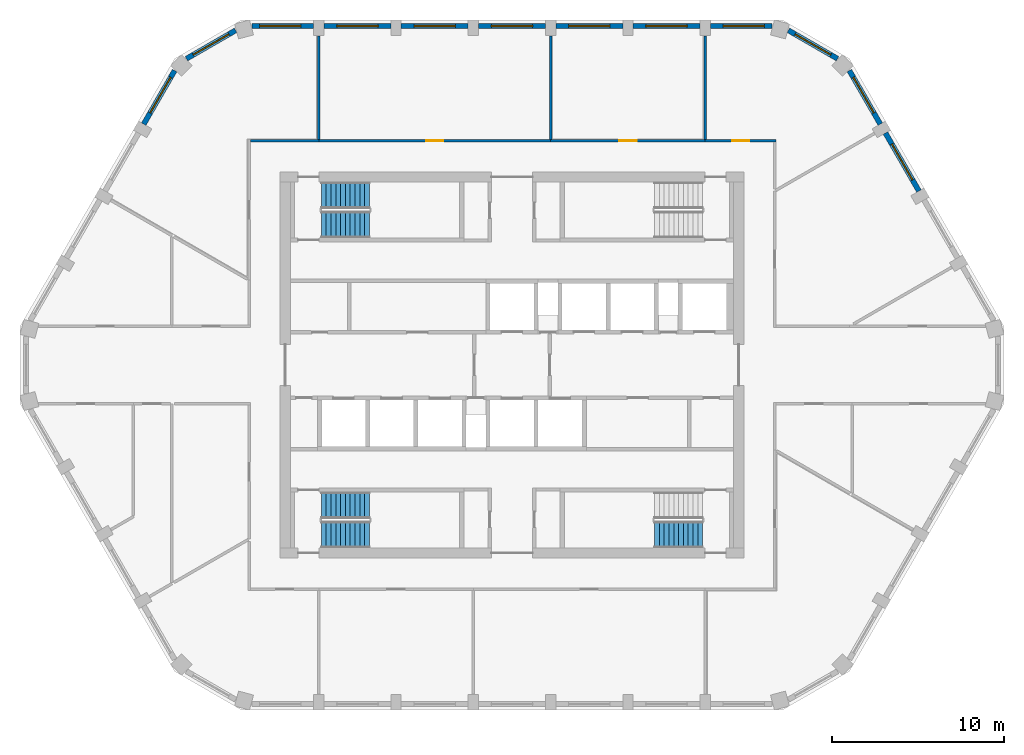
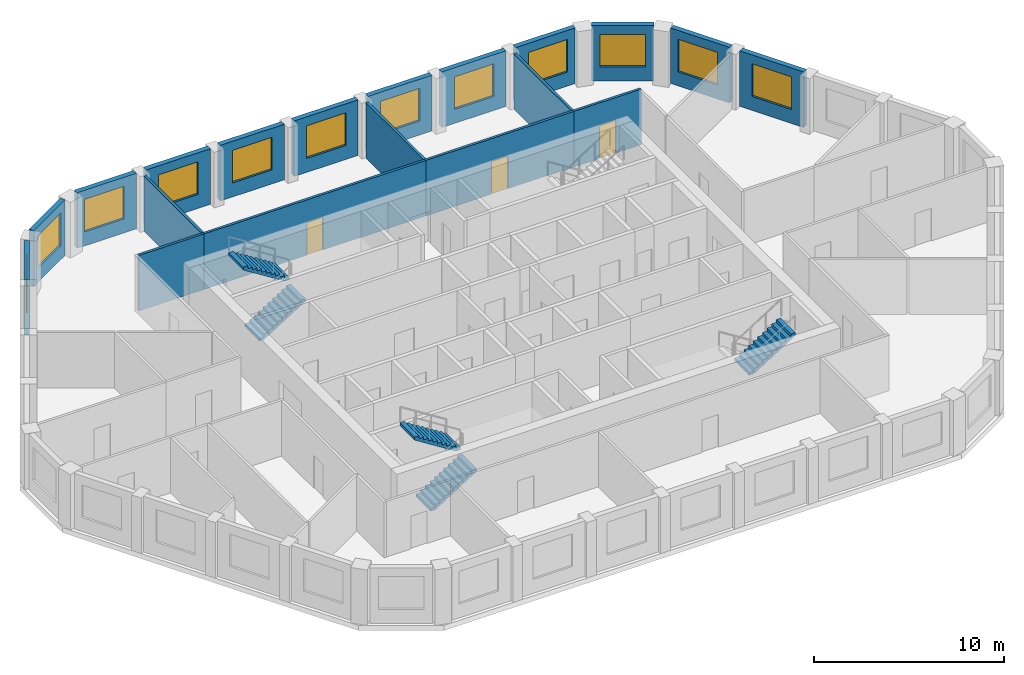
# One storey, part 6 of 10: 19 walls, 12 windows, 5 stair flights, 3 doors, 15 openings, 3 elements without a shape of their own.
"""IFC4 building model written with IfcOpenShell, lengths in metres."""

from ifc_helpers import new_model, si_unit, direction, frame, frame_2d, origin, place, context, subcontext, project, spatial, polyline, rectangle, outline, extrude, material, layer, layer_set, type_object, element, fill, aggregate, save


model = new_model("IFC4")

# Units and contexts
model_context = context("Model", 3, precision=1e-05, world=origin(), true_north=direction((0.0, 1.0)))
body_context = subcontext(model_context, "Body", "Model", "MODEL_VIEW")
ifc_project = project(units=[si_unit("LENGTHUNIT", "METRE"), si_unit("AREAUNIT", "SQUARE_METRE"), si_unit("VOLUMEUNIT", "CUBIC_METRE"), si_unit("PLANEANGLEUNIT", "RADIAN"), si_unit("MASSUNIT", "GRAM", prefix="KILO")], contexts=[model_context])

# Site, building, storey
site_placement = place(None, origin())
site = spatial("IfcSite", under=ifc_project, at=site_placement, CompositionType="ELEMENT")
building_placement = place(site_placement, origin())
building = spatial("IfcBuilding", under=site, at=building_placement, Name="Dhurran Vertical Campus", CompositionType="ELEMENT")
storey_placement = place(building_placement, frame((0.0, 0.0, 298.199951171875)))
storey = spatial("IfcBuildingStorey", under=building, at=storey_placement, Name="L74", CompositionType="ELEMENT", Elevation=298.199951171875)

# Wall, opening, window
ifc_material_1 = material(Name="Precast concrete C50/60", Category="concrete")
ifc_layer_1 = layer(ifc_material_1, 0.300048828125)
ifc_layer_set_1 = layer_set([ifc_layer_1], Name="Precast concrete C50/60")
wall_type_1 = type_object("IfcWallType", Name="Precast spandrel wall 300", PredefinedType="SOLIDWALL", material=ifc_layer_set_1)
wall_1_placement = place(storey_placement, frame((23.69384765625, 10.12939453125, 0.0), z_axis=(0.0, 0.0, 1.0), x_axis=(-0.499984428715, 0.866034393683, 0.0)))
wall_1 = element("IfcWall", 1, at=wall_1_placement, inside=storey, type_object=wall_type_1, Name="EW1 L74.15", PredefinedType="SOLIDWALL", context=body_context, shape_type="SweptSolid", body=[
    extrude(rectangle(XDim=3.89892578125, YDim=0.300048828125, at=frame_2d((1.949462890625, 0.0))), origin(), (0.0, 0.0, 1.0), 3.574951171875),
])
opening_1_placement = place(wall_1_placement, frame((0.74951171875, 0.0, 0.89990234375)))
opening_1 = element("IfcOpeningElement", 2, at=opening_1_placement, cuts=wall_1, Name="Opening WT1", PredefinedType="OPENING", context=body_context, shape_type="SweptSolid", body=[
    extrude(rectangle(XDim=2.39990234375, YDim=2.10009765625, at=frame_2d((1.199951171875, 1.050048828125))), frame((0.0, 0.159912109375, 0.0), z_axis=(0.0, -1.0, 0.0), x_axis=(1.0, 0.0, 0.0)), (0.0, 0.0, 1.0), 0.320068359375),
])
ifc_material_2 = material(Name="Aluminium frame with solar-control glass", Category="aluminium")
window_type = type_object("IfcWindowType", Name="Punched window 2400 x 2100", PartitioningType="SINGLE_PANEL", PredefinedType="WINDOW", material=ifc_material_2)
window_1_placement = place(opening_1_placement, origin())
window_1 = element("IfcWindow", 3, at=window_1_placement, inside=storey, type_object=window_type, Name="WT1 L74.15", OverallHeight=2.10009765625, OverallWidth=2.39990234375, PartitioningType="SINGLE_PANEL", PredefinedType="WINDOW", context=body_context, shape_type="SweptSolid", body=[
    extrude(rectangle(XDim=2.39990234375, YDim=2.10009765625, at=frame_2d((1.199951171875, 1.050048828125))), frame((0.0, 0.030029296875, 0.0), z_axis=(0.0, -1.0, 0.0), x_axis=(1.0, 0.0, 0.0)), (0.0, 0.0, 1.0), 0.06005859375),
])
fill(opening_1, window_1)

wall_2_placement = place(storey_placement, frame((21.44384765625, 14.026611328125, 0.0), z_axis=(0.0, 0.0, 1.0), x_axis=(-0.50001992892, 0.866013897511, 0.0)))
wall_2 = element("IfcWall", 4, at=wall_2_placement, inside=storey, type_object=wall_type_1, Name="EW1 L74.16", PredefinedType="SOLIDWALL", context=body_context, shape_type="SweptSolid", body=[
    extrude(rectangle(XDim=3.599365234375, YDim=0.300048828125, at=frame_2d((1.7998046875, 0.0))), origin(), (0.0, 0.0, 1.0), 3.574951171875),
])
opening_2_placement = place(wall_2_placement, frame((0.74951171875, 0.0, 0.89990234375)))
opening_2 = element("IfcOpeningElement", 5, at=opening_2_placement, cuts=wall_2, Name="Opening WT1", PredefinedType="OPENING", context=body_context, shape_type="SweptSolid", body=[
    extrude(rectangle(XDim=2.39990234375, YDim=2.10009765625, at=frame_2d((1.199951171875, 1.050048828125))), frame((0.0, 0.159912109375, 0.0), z_axis=(0.0, -1.0, 0.0), x_axis=(1.0, 0.0, 0.0)), (0.0, 0.0, 1.0), 0.320068359375),
])
window_2_placement = place(opening_2_placement, origin())
window_2 = element("IfcWindow", 6, at=window_2_placement, inside=storey, type_object=window_type, Name="WT1 L74.16", OverallHeight=2.10009765625, OverallWidth=2.39990234375, PartitioningType="SINGLE_PANEL", PredefinedType="WINDOW", context=body_context, shape_type="SweptSolid", body=[
    extrude(rectangle(XDim=2.39990234375, YDim=2.10009765625, at=frame_2d((1.199951171875, 1.050048828125))), frame((0.0, 0.030029296875, 0.0), z_axis=(0.0, -1.0, 0.0), x_axis=(1.0, 0.0, 0.0)), (0.0, 0.0, 1.0), 0.06005859375),
])
fill(opening_2, window_2)

wall_3_placement = place(storey_placement, frame((18.952392578125, 17.83544921875, 0.0), z_axis=(0.0, 0.0, 1.0), x_axis=(-0.866021716278, 0.500006386895, 0.0)))
wall_3 = element("IfcWall", 7, at=wall_3_placement, inside=storey, type_object=wall_type_1, Name="EW1 L74.17", PredefinedType="SOLIDWALL", context=body_context, shape_type="SweptSolid", body=[
    extrude(rectangle(XDim=3.2998046875, YDim=0.300048828125, at=frame_2d((1.64990234375, 0.0))), origin(), (0.0, 0.0, 1.0), 3.574951171875),
])
opening_3_placement = place(wall_3_placement, frame((0.449951171875, 0.0, 0.89990234375)))
opening_3 = element("IfcOpeningElement", 8, at=opening_3_placement, cuts=wall_3, Name="Opening WT1", PredefinedType="OPENING", context=body_context, shape_type="SweptSolid", body=[
    extrude(rectangle(XDim=2.39990234375, YDim=2.10009765625, at=frame_2d((1.199951171875, 1.050048828125))), frame((0.0, 0.159912109375, 0.0), z_axis=(0.0, -1.0, 0.0), x_axis=(1.0, 0.0, 0.0)), (0.0, 0.0, 1.0), 0.320068359375),
])
window_3_placement = place(opening_3_placement, origin())
window_3 = element("IfcWindow", 9, at=window_3_placement, inside=storey, type_object=window_type, Name="WT1 L74.17", OverallHeight=2.10009765625, OverallWidth=2.39990234375, PartitioningType="SINGLE_PANEL", PredefinedType="WINDOW", context=body_context, shape_type="SweptSolid", body=[
    extrude(rectangle(XDim=2.39990234375, YDim=2.10009765625, at=frame_2d((1.199951171875, 1.050048828125))), frame((0.0, 0.030029296875, 0.0), z_axis=(0.0, -1.0, 0.0), x_axis=(1.0, 0.0, 0.0)), (0.0, 0.0, 1.0), 0.06005859375),
])
fill(opening_3, window_3)

wall_4_placement = place(storey_placement, frame((15.14990234375, 19.738525390625, 0.0), z_axis=(0.0, 0.0, 1.0), x_axis=(-1.0, 0.0, 0.0)))
wall_4 = element("IfcWall", 10, at=wall_4_placement, inside=storey, type_object=wall_type_1, Name="EW1 L74.18", PredefinedType="SOLIDWALL", context=body_context, shape_type="SweptSolid", body=[
    extrude(rectangle(XDim=3.599365234375, YDim=0.300048828125, at=frame_2d((1.7998046875, 0.0))), origin(), (0.0, 0.0, 1.0), 3.574951171875),
])
opening_4_placement = place(wall_4_placement, frame((0.449951171875, 0.0, 0.89990234375)))
opening_4 = element("IfcOpeningElement", 11, at=opening_4_placement, cuts=wall_4, Name="Opening WT1", PredefinedType="OPENING", context=body_context, shape_type="SweptSolid", body=[
    extrude(rectangle(XDim=2.39990234375, YDim=2.10009765625, at=frame_2d((1.199951171875, 1.050048828125))), frame((0.0, 0.159912109375, 0.0), z_axis=(0.0, -1.0, 0.0), x_axis=(1.0, 0.0, 0.0)), (0.0, 0.0, 1.0), 0.320068359375),
])
window_4_placement = place(opening_4_placement, origin())
window_4 = element("IfcWindow", 12, at=window_4_placement, inside=storey, type_object=window_type, Name="WT1 L74.18", OverallHeight=2.10009765625, OverallWidth=2.39990234375, PartitioningType="SINGLE_PANEL", PredefinedType="WINDOW", context=body_context, shape_type="SweptSolid", body=[
    extrude(rectangle(XDim=2.39990234375, YDim=2.10009765625, at=frame_2d((1.199951171875, 1.050048828125))), frame((0.0, 0.030029296875, 0.0), z_axis=(0.0, -1.0, 0.0), x_axis=(1.0, 0.0, 0.0)), (0.0, 0.0, 1.0), 0.06005859375),
])
fill(opening_4, window_4)

wall_5_placement = place(storey_placement, frame((10.949462890625, 19.738525390625, 0.0), z_axis=(0.0, 0.0, 1.0), x_axis=(-1.0, 0.0, 0.0)))
wall_5 = element("IfcWall", 13, at=wall_5_placement, inside=storey, type_object=wall_type_1, Name="EW1 L74.19", PredefinedType="SOLIDWALL", context=body_context, shape_type="SweptSolid", body=[
    extrude(rectangle(XDim=3.89892578125, YDim=0.300048828125, at=frame_2d((1.949462890625, 0.0))), origin(), (0.0, 0.0, 1.0), 3.574951171875),
])
opening_5_placement = place(wall_5_placement, frame((0.74951171875, 0.0, 0.89990234375)))
opening_5 = element("IfcOpeningElement", 14, at=opening_5_placement, cuts=wall_5, Name="Opening WT1", PredefinedType="OPENING", context=body_context, shape_type="SweptSolid", body=[
    extrude(rectangle(XDim=2.39990234375, YDim=2.10009765625, at=frame_2d((1.199951171875, 1.050048828125))), frame((0.0, 0.159912109375, 0.0), z_axis=(0.0, -1.0, 0.0), x_axis=(1.0, 0.0, 0.0)), (0.0, 0.0, 1.0), 0.320068359375),
])
window_5_placement = place(opening_5_placement, origin())
window_5 = element("IfcWindow", 15, at=window_5_placement, inside=storey, type_object=window_type, Name="WT1 L74.19", OverallHeight=2.10009765625, OverallWidth=2.39990234375, PartitioningType="SINGLE_PANEL", PredefinedType="WINDOW", context=body_context, shape_type="SweptSolid", body=[
    extrude(rectangle(XDim=2.39990234375, YDim=2.10009765625, at=frame_2d((1.199951171875, 1.050048828125))), frame((0.0, 0.030029296875, 0.0), z_axis=(0.0, -1.0, 0.0), x_axis=(1.0, 0.0, 0.0)), (0.0, 0.0, 1.0), 0.06005859375),
])
fill(opening_5, window_5)

wall_6_placement = place(storey_placement, frame((6.449462890625, 19.738525390625, 0.0), z_axis=(0.0, 0.0, 1.0), x_axis=(-1.0, 0.0, 0.0)))
wall_6 = element("IfcWall", 16, at=wall_6_placement, inside=storey, type_object=wall_type_1, Name="EW1 L74.20", PredefinedType="SOLIDWALL", context=body_context, shape_type="SweptSolid", body=[
    extrude(rectangle(XDim=3.89892578125, YDim=0.300048828125, at=frame_2d((1.949462890625, 0.0))), origin(), (0.0, 0.0, 1.0), 3.574951171875),
])
opening_6_placement = place(wall_6_placement, frame((0.74951171875, 0.0, 0.89990234375)))
opening_6 = element("IfcOpeningElement", 17, at=opening_6_placement, cuts=wall_6, Name="Opening WT1", PredefinedType="OPENING", context=body_context, shape_type="SweptSolid", body=[
    extrude(rectangle(XDim=2.39990234375, YDim=2.10009765625, at=frame_2d((1.199951171875, 1.050048828125))), frame((0.0, 0.159912109375, 0.0), z_axis=(0.0, -1.0, 0.0), x_axis=(1.0, 0.0, 0.0)), (0.0, 0.0, 1.0), 0.320068359375),
])
window_6_placement = place(opening_6_placement, origin())
window_6 = element("IfcWindow", 18, at=window_6_placement, inside=storey, type_object=window_type, Name="WT1 L74.20", OverallHeight=2.10009765625, OverallWidth=2.39990234375, PartitioningType="SINGLE_PANEL", PredefinedType="WINDOW", context=body_context, shape_type="SweptSolid", body=[
    extrude(rectangle(XDim=2.39990234375, YDim=2.10009765625, at=frame_2d((1.199951171875, 1.050048828125))), frame((0.0, 0.030029296875, 0.0), z_axis=(0.0, -1.0, 0.0), x_axis=(1.0, 0.0, 0.0)), (0.0, 0.0, 1.0), 0.06005859375),
])
fill(opening_6, window_6)

wall_7_placement = place(storey_placement, frame((1.949462890625, 19.738525390625, 0.0), z_axis=(0.0, 0.0, 1.0), x_axis=(-1.0, 0.0, 0.0)))
wall_7 = element("IfcWall", 19, at=wall_7_placement, inside=storey, type_object=wall_type_1, Name="EW1 L74.21", PredefinedType="SOLIDWALL", context=body_context, shape_type="SweptSolid", body=[
    extrude(rectangle(XDim=3.89892578125, YDim=0.300048828125, at=frame_2d((1.949462890625, 0.0))), origin(), (0.0, 0.0, 1.0), 3.574951171875),
])
opening_7_placement = place(wall_7_placement, frame((0.74951171875, 0.0, 0.89990234375)))
opening_7 = element("IfcOpeningElement", 20, at=opening_7_placement, cuts=wall_7, Name="Opening WT1", PredefinedType="OPENING", context=body_context, shape_type="SweptSolid", body=[
    extrude(rectangle(XDim=2.39990234375, YDim=2.10009765625, at=frame_2d((1.199951171875, 1.050048828125))), frame((0.0, 0.159912109375, 0.0), z_axis=(0.0, -1.0, 0.0), x_axis=(1.0, 0.0, 0.0)), (0.0, 0.0, 1.0), 0.320068359375),
])
window_7_placement = place(opening_7_placement, origin())
window_7 = element("IfcWindow", 21, at=window_7_placement, inside=storey, type_object=window_type, Name="WT1 L74.21", OverallHeight=2.10009765625, OverallWidth=2.39990234375, PartitioningType="SINGLE_PANEL", PredefinedType="WINDOW", context=body_context, shape_type="SweptSolid", body=[
    extrude(rectangle(XDim=2.39990234375, YDim=2.10009765625, at=frame_2d((1.199951171875, 1.050048828125))), frame((0.0, 0.030029296875, 0.0), z_axis=(0.0, -1.0, 0.0), x_axis=(1.0, 0.0, 0.0)), (0.0, 0.0, 1.0), 0.06005859375),
])
fill(opening_7, window_7)

wall_8_placement = place(storey_placement, frame((-2.550537109375, 19.738525390625, 0.0), z_axis=(0.0, 0.0, 1.0), x_axis=(-1.0, 0.0, 0.0)))
wall_8 = element("IfcWall", 22, at=wall_8_placement, inside=storey, type_object=wall_type_1, Name="EW1 L74.22", PredefinedType="SOLIDWALL", context=body_context, shape_type="SweptSolid", body=[
    extrude(rectangle(XDim=3.89892578125, YDim=0.300048828125, at=frame_2d((1.949462890625, 0.0))), origin(), (0.0, 0.0, 1.0), 3.574951171875),
])
opening_8_placement = place(wall_8_placement, frame((0.74951171875, 0.0, 0.89990234375)))
opening_8 = element("IfcOpeningElement", 23, at=opening_8_placement, cuts=wall_8, Name="Opening WT1", PredefinedType="OPENING", context=body_context, shape_type="SweptSolid", body=[
    extrude(rectangle(XDim=2.39990234375, YDim=2.10009765625, at=frame_2d((1.199951171875, 1.050048828125))), frame((0.0, 0.159912109375, 0.0), z_axis=(0.0, -1.0, 0.0), x_axis=(1.0, 0.0, 0.0)), (0.0, 0.0, 1.0), 0.320068359375),
])
window_8_placement = place(opening_8_placement, origin())
window_8 = element("IfcWindow", 24, at=window_8_placement, inside=storey, type_object=window_type, Name="WT1 L74.22", OverallHeight=2.10009765625, OverallWidth=2.39990234375, PartitioningType="SINGLE_PANEL", PredefinedType="WINDOW", context=body_context, shape_type="SweptSolid", body=[
    extrude(rectangle(XDim=2.39990234375, YDim=2.10009765625, at=frame_2d((1.199951171875, 1.050048828125))), frame((0.0, 0.030029296875, 0.0), z_axis=(0.0, -1.0, 0.0), x_axis=(1.0, 0.0, 0.0)), (0.0, 0.0, 1.0), 0.06005859375),
])
fill(opening_8, window_8)

wall_9_placement = place(storey_placement, frame((-7.050537109375, 19.738525390625, 0.0), z_axis=(0.0, 0.0, 1.0), x_axis=(-1.0, 0.0, 0.0)))
wall_9 = element("IfcWall", 25, at=wall_9_placement, inside=storey, type_object=wall_type_1, Name="EW1 L74.23", PredefinedType="SOLIDWALL", context=body_context, shape_type="SweptSolid", body=[
    extrude(rectangle(XDim=3.89892578125, YDim=0.300048828125, at=frame_2d((1.949462890625, 0.0))), origin(), (0.0, 0.0, 1.0), 3.574951171875),
])
opening_9_placement = place(wall_9_placement, frame((0.74951171875, 0.0, 0.89990234375)))
opening_9 = element("IfcOpeningElement", 26, at=opening_9_placement, cuts=wall_9, Name="Opening WT1", PredefinedType="OPENING", context=body_context, shape_type="SweptSolid", body=[
    extrude(rectangle(XDim=2.39990234375, YDim=2.10009765625, at=frame_2d((1.199951171875, 1.050048828125))), frame((0.0, 0.159912109375, 0.0), z_axis=(0.0, -1.0, 0.0), x_axis=(1.0, 0.0, 0.0)), (0.0, 0.0, 1.0), 0.320068359375),
])
window_9_placement = place(opening_9_placement, origin())
window_9 = element("IfcWindow", 27, at=window_9_placement, inside=storey, type_object=window_type, Name="WT1 L74.23", OverallHeight=2.10009765625, OverallWidth=2.39990234375, PartitioningType="SINGLE_PANEL", PredefinedType="WINDOW", context=body_context, shape_type="SweptSolid", body=[
    extrude(rectangle(XDim=2.39990234375, YDim=2.10009765625, at=frame_2d((1.199951171875, 1.050048828125))), frame((0.0, 0.030029296875, 0.0), z_axis=(0.0, -1.0, 0.0), x_axis=(1.0, 0.0, 0.0)), (0.0, 0.0, 1.0), 0.06005859375),
])
fill(opening_9, window_9)

wall_10_placement = place(storey_placement, frame((-11.550537109375, 19.738525390625, 0.0), z_axis=(0.0, 0.0, 1.0), x_axis=(-1.0, 0.0, 0.0)))
wall_10 = element("IfcWall", 28, at=wall_10_placement, inside=storey, type_object=wall_type_1, Name="EW1 L74.24", PredefinedType="SOLIDWALL", context=body_context, shape_type="SweptSolid", body=[
    extrude(rectangle(XDim=3.599365234375, YDim=0.300048828125, at=frame_2d((1.7998046875, 0.0))), origin(), (0.0, 0.0, 1.0), 3.574951171875),
])
opening_10_placement = place(wall_10_placement, frame((0.74951171875, 0.0, 0.89990234375)))
opening_10 = element("IfcOpeningElement", 29, at=opening_10_placement, cuts=wall_10, Name="Opening WT1", PredefinedType="OPENING", context=body_context, shape_type="SweptSolid", body=[
    extrude(rectangle(XDim=2.39990234375, YDim=2.10009765625, at=frame_2d((1.199951171875, 1.050048828125))), frame((0.0, 0.159912109375, 0.0), z_axis=(0.0, -1.0, 0.0), x_axis=(1.0, 0.0, 0.0)), (0.0, 0.0, 1.0), 0.320068359375),
])
window_10_placement = place(opening_10_placement, origin())
window_10 = element("IfcWindow", 30, at=window_10_placement, inside=storey, type_object=window_type, Name="WT1 L74.24", OverallHeight=2.10009765625, OverallWidth=2.39990234375, PartitioningType="SINGLE_PANEL", PredefinedType="WINDOW", context=body_context, shape_type="SweptSolid", body=[
    extrude(rectangle(XDim=2.39990234375, YDim=2.10009765625, at=frame_2d((1.199951171875, 1.050048828125))), frame((0.0, 0.030029296875, 0.0), z_axis=(0.0, -1.0, 0.0), x_axis=(1.0, 0.0, 0.0)), (0.0, 0.0, 1.0), 0.06005859375),
])
fill(opening_10, window_10)

wall_11_placement = place(storey_placement, frame((-16.0947265625, 19.4853515625, 0.0), z_axis=(0.0, 0.0, 1.0), x_axis=(-0.866021716278, -0.500006386895, 0.0)))
wall_11 = element("IfcWall", 31, at=wall_11_placement, inside=storey, type_object=wall_type_1, Name="EW1 L74.25", PredefinedType="SOLIDWALL", context=body_context, shape_type="SweptSolid", body=[
    extrude(rectangle(XDim=3.2998046875, YDim=0.300048828125, at=frame_2d((1.64990234375, 0.0))), origin(), (0.0, 0.0, 1.0), 3.574951171875),
])
opening_11_placement = place(wall_11_placement, frame((0.449951171875, 0.0, 0.89990234375)))
opening_11 = element("IfcOpeningElement", 32, at=opening_11_placement, cuts=wall_11, Name="Opening WT1", PredefinedType="OPENING", context=body_context, shape_type="SweptSolid", body=[
    extrude(rectangle(XDim=2.39990234375, YDim=2.10009765625, at=frame_2d((1.199951171875, 1.050048828125))), frame((0.0, 0.159912109375, 0.0), z_axis=(0.0, -1.0, 0.0), x_axis=(1.0, 0.0, 0.0)), (0.0, 0.0, 1.0), 0.320068359375),
])
window_11_placement = place(opening_11_placement, origin())
window_11 = element("IfcWindow", 33, at=window_11_placement, inside=storey, type_object=window_type, Name="WT1 L74.25", OverallHeight=2.10009765625, OverallWidth=2.39990234375, PartitioningType="SINGLE_PANEL", PredefinedType="WINDOW", context=body_context, shape_type="SweptSolid", body=[
    extrude(rectangle(XDim=2.39990234375, YDim=2.10009765625, at=frame_2d((1.199951171875, 1.050048828125))), frame((0.0, 0.030029296875, 0.0), z_axis=(0.0, -1.0, 0.0), x_axis=(1.0, 0.0, 0.0)), (0.0, 0.0, 1.0), 0.06005859375),
])
fill(opening_11, window_11)

wall_12_placement = place(storey_placement, frame((-19.64404296875, 17.143798828125, 0.0), z_axis=(0.0, 0.0, 1.0), x_axis=(-0.50001992892, -0.866013897511, 0.0)))
wall_12 = element("IfcWall", 34, at=wall_12_placement, inside=storey, type_object=wall_type_1, Name="EW1 L74.26", PredefinedType="SOLIDWALL", context=body_context, shape_type="SweptSolid", body=[
    extrude(rectangle(XDim=3.599365234375, YDim=0.300048828125, at=frame_2d((1.7998046875, 0.0))), origin(), (0.0, 0.0, 1.0), 3.574951171875),
])
opening_12_placement = place(wall_12_placement, frame((0.449951171875, 0.0, 0.89990234375)))
opening_12 = element("IfcOpeningElement", 35, at=opening_12_placement, cuts=wall_12, Name="Opening WT1", PredefinedType="OPENING", context=body_context, shape_type="SweptSolid", body=[
    extrude(rectangle(XDim=2.39990234375, YDim=2.10009765625, at=frame_2d((1.199951171875, 1.050048828125))), frame((0.0, 0.159912109375, 0.0), z_axis=(0.0, -1.0, 0.0), x_axis=(1.0, 0.0, 0.0)), (0.0, 0.0, 1.0), 0.320068359375),
])
window_12_placement = place(opening_12_placement, origin())
window_12 = element("IfcWindow", 36, at=window_12_placement, inside=storey, type_object=window_type, Name="WT1 L74.26", OverallHeight=2.10009765625, OverallWidth=2.39990234375, PartitioningType="SINGLE_PANEL", PredefinedType="WINDOW", context=body_context, shape_type="SweptSolid", body=[
    extrude(rectangle(XDim=2.39990234375, YDim=2.10009765625, at=frame_2d((1.199951171875, 1.050048828125))), frame((0.0, 0.030029296875, 0.0), z_axis=(0.0, -1.0, 0.0), x_axis=(1.0, 0.0, 0.0)), (0.0, 0.0, 1.0), 0.06005859375),
])
fill(opening_12, window_12)

# Wall
ifc_material_3 = material(Name="Gypsum board corridor wall on steel studs", Category="steel")
ifc_layer_2 = layer(ifc_material_3, 0.14990234375)
ifc_layer_set_2 = layer_set([ifc_layer_2], Name="Gypsum board corridor wall on steel studs")
wall_type_2 = type_object("IfcWallType", Name="fl-CW-150 corridor wall", PredefinedType="PARTITIONING", material=ifc_layer_set_2)
wall_13_placement = place(storey_placement, frame((-11.25, 13.050048828125, 0.0), z_axis=(0.0, 0.0, 1.0), x_axis=(-1.0, 0.0, 0.0)))
element("IfcWall", 37, at=wall_13_placement, inside=storey, type_object=wall_type_2, Name="Partition 74-19", PredefinedType="PARTITIONING", context=body_context, shape_type="SweptSolid", body=[
    extrude(rectangle(XDim=3.97509765625, YDim=0.14990234375, at=frame_2d((1.987548828125, 0.0))), origin(), (0.0, 0.0, 1.0), 3.574951171875),
])

# Wall, opening, door
wall_14_placement = place(storey_placement, frame((2.25, 13.050048828125, 0.0), z_axis=(0.0, 0.0, 1.0), x_axis=(-1.0, 0.0, 0.0)))
wall_14 = element("IfcWall", 38, at=wall_14_placement, inside=storey, type_object=wall_type_2, Name="Partition 74-23", PredefinedType="PARTITIONING", context=body_context, shape_type="SweptSolid", body=[
    extrude(rectangle(XDim=13.5, YDim=0.14990234375, at=frame_2d((6.75, 0.0))), origin(), (0.0, 0.0, 1.0), 3.574951171875),
])
opening_13_placement = place(wall_14_placement, frame((6.25, 0.0, 0.0)))
opening_13 = element("IfcOpeningElement", 39, at=opening_13_placement, cuts=wall_14, Name="Opening T22.09", PredefinedType="OPENING", context=body_context, shape_type="SweptSolid", body=[
    extrude(rectangle(XDim=1.0, YDim=2.10009765625, at=frame_2d((0.5, 1.050048828125))), frame((0.0, 0.0849609375, 0.0), z_axis=(0.0, -1.0, 0.0), x_axis=(1.0, 0.0, 0.0)), (0.0, 0.0, 1.0), 0.169921875),
])
ifc_material_4 = material(Name="Solid-core timber door set, fire-rated", Category="wood")
door_type = type_object("IfcDoorType", Name="fl-D-1000x2100", OperationType="SINGLE_SWING_LEFT", PredefinedType="DOOR", material=ifc_material_4)
door_1_placement = place(opening_13_placement, origin())
door_1 = element("IfcDoor", 40, at=door_1_placement, inside=storey, type_object=door_type, Name="Door 74.09", OperationType="SINGLE_SWING_RIGHT", OverallHeight=2.10009765625, OverallWidth=1.0, PredefinedType="DOOR", context=body_context, shape_type="SweptSolid", body=[
    extrude(rectangle(XDim=1.0, YDim=2.10009765625, at=frame_2d((0.5, 1.050048828125))), frame((0.0, 0.02490234375, 0.0), z_axis=(0.0, -1.0, 0.0), x_axis=(1.0, 0.0, 0.0)), (0.0, 0.0, 1.0), 0.050048828125),
])
fill(opening_13, door_1)

wall_15_placement = place(storey_placement, frame((11.25, 13.050048828125, 0.0), z_axis=(0.0, 0.0, 1.0), x_axis=(-1.0, 0.0, 0.0)))
wall_15 = element("IfcWall", 41, at=wall_15_placement, inside=storey, type_object=wall_type_2, Name="Partition 74-27", PredefinedType="PARTITIONING", context=body_context, shape_type="SweptSolid", body=[
    extrude(rectangle(XDim=9.0, YDim=0.14990234375, at=frame_2d((4.5, 0.0))), origin(), (0.0, 0.0, 1.0), 3.574951171875),
])
opening_14_placement = place(wall_15_placement, frame((4.0, 0.0, 0.0)))
opening_14 = element("IfcOpeningElement", 42, at=opening_14_placement, cuts=wall_15, Name="Opening T22.11", PredefinedType="OPENING", context=body_context, shape_type="SweptSolid", body=[
    extrude(rectangle(XDim=1.0, YDim=2.10009765625, at=frame_2d((0.5, 1.050048828125))), frame((0.0, 0.0849609375, 0.0), z_axis=(0.0, -1.0, 0.0), x_axis=(1.0, 0.0, 0.0)), (0.0, 0.0, 1.0), 0.169921875),
])
door_2_placement = place(opening_14_placement, origin())
door_2 = element("IfcDoor", 43, at=door_2_placement, inside=storey, type_object=door_type, Name="Door 74.11", OperationType="SINGLE_SWING_LEFT", OverallHeight=2.10009765625, OverallWidth=1.0, PredefinedType="DOOR", context=body_context, shape_type="SweptSolid", body=[
    extrude(rectangle(XDim=1.0, YDim=2.10009765625, at=frame_2d((0.5, 1.050048828125))), frame((0.0, 0.02490234375, 0.0), z_axis=(0.0, -1.0, 0.0), x_axis=(1.0, 0.0, 0.0)), (0.0, 0.0, 1.0), 0.050048828125),
])
fill(opening_14, door_2)

wall_16_placement = place(storey_placement, frame((15.375, 13.050048828125, 0.0), z_axis=(0.0, 0.0, 1.0), x_axis=(-1.0, 0.0, 0.0)))
wall_16 = element("IfcWall", 44, at=wall_16_placement, inside=storey, type_object=wall_type_2, Name="Partition 74-31", PredefinedType="PARTITIONING", context=body_context, shape_type="SweptSolid", body=[
    extrude(rectangle(XDim=4.125, YDim=0.14990234375, at=frame_2d((2.0625, 0.0))), origin(), (0.0, 0.0, 1.0), 3.574951171875),
])
opening_15_placement = place(wall_16_placement, frame((1.5625, 0.0, 0.0)))
opening_15 = element("IfcOpeningElement", 45, at=opening_15_placement, cuts=wall_16, Name="Opening T22.12", PredefinedType="OPENING", context=body_context, shape_type="SweptSolid", body=[
    extrude(rectangle(XDim=1.0, YDim=2.10009765625, at=frame_2d((0.5, 1.050048828125))), frame((0.0, 0.0849609375, 0.0), z_axis=(0.0, -1.0, 0.0), x_axis=(1.0, 0.0, 0.0)), (0.0, 0.0, 1.0), 0.169921875),
])
door_3_placement = place(opening_15_placement, origin())
door_3 = element("IfcDoor", 46, at=door_3_placement, inside=storey, type_object=door_type, Name="Door 74.12", OperationType="SINGLE_SWING_RIGHT", OverallHeight=2.10009765625, OverallWidth=1.0, PredefinedType="DOOR", context=body_context, shape_type="SweptSolid", body=[
    extrude(rectangle(XDim=1.0, YDim=2.10009765625, at=frame_2d((0.5, 1.050048828125))), frame((0.0, 0.02490234375, 0.0), z_axis=(0.0, -1.0, 0.0), x_axis=(1.0, 0.0, 0.0)), (0.0, 0.0, 1.0), 0.050048828125),
])
fill(opening_15, door_3)

# Walls
ifc_material_5 = material(Name="Gypsum board partition on steel studs", Category="steel")
ifc_layer_3 = layer(ifc_material_5, 0.14990234375)
ifc_layer_set_3 = layer_set([ifc_layer_3], Name="Gypsum board partition on steel studs")
wall_type_3 = type_object("IfcWallType", Name="fl-PW-150 fixed partition", PredefinedType="PARTITIONING", material=ifc_layer_set_3)
for number, where, z_axis, x_axis, name in (
    (47, (-11.25, 19.16845703125, 0.0), (0.0, 0.0, 1.0), (0.0, -1.0, 0.0), "Partition 74-22"),
    (48, (2.25, 19.16845703125, 0.0), (0.0, 0.0, 1.0), (0.0, -1.0, 0.0), "Partition 74-26"),
    (49, (11.25, 19.16845703125, 0.0), (0.0, 0.0, 1.0), (0.0, -1.0, 0.0), "Partition 74-30"),
):
    element("IfcWall", number, at=place(storey_placement, frame(where, z_axis=z_axis, x_axis=x_axis)), inside=storey, type_object=wall_type_3, Name=name, PredefinedType="PARTITIONING", context=body_context, shape_type="SweptSolid", body=[
        extrude(rectangle(XDim=6.04345703125, YDim=0.14990234375, at=frame_2d((3.021728515625, 0.0))), origin(), (0.0, 0.0, 1.0), 3.574951171875),
    ])

# Stair, stair flights
ifc_material_6 = material(Name="Concrete C40/50", Category="concrete")
stair_type = type_object("IfcStairType", Name="co-ST-CORE", PredefinedType="HALF_TURN_STAIR", material=ifc_material_6)
stair_1_placement = place(storey_placement, origin())
stair_1 = element("IfcStair", 50, at=stair_1_placement, inside=storey, type_object=stair_type, Name="L74 Protected exit stair ST1", PredefinedType="HALF_TURN_STAIR")
ifc_material_7 = material(Name="Concrete C40/50", Category="concrete")
stair_flight_type = type_object("IfcStairFlightType", Name="co-SFL-RC", PredefinedType="STRAIGHT", material=ifc_material_7)
stair_flight_1_placement = place(storey_placement, frame((-11.10009765625, 8.175048828125, 0.0), z_axis=(0.0, 0.0, 1.0), x_axis=(1.0, 0.0, 0.0)))
stair_flight_1 = element("IfcStairFlight", 51, at=stair_flight_1_placement, type_object=stair_flight_type, Name="ST1 flight 1", NumberOfRisers=11, NumberOfTreads=10, PredefinedType="STRAIGHT", RiserHeight=0.177272727, TreadLength=0.28, context=body_context, shape_type="SweptSolid", body=[
    extrude(outline(polyline([(0.0, 0.0), (0.0, 0.17724609375), (0.280029296875, 0.17724609375), (0.280029296875, 0.3544921875), (0.56005859375, 0.3544921875), (0.56005859375, 0.53173828125), (0.840087890625, 0.53173828125), (0.840087890625, 0.708984375), (1.1201171875, 0.708984375), (1.1201171875, 0.886474609375), (1.39990234375, 0.886474609375), (1.39990234375, 1.063720703125), (1.679931640625, 1.063720703125), (1.679931640625, 1.240966796875), (1.9599609375, 1.240966796875), (1.9599609375, 1.418212890625), (2.239990234375, 1.418212890625), (2.239990234375, 1.595458984375), (2.52001953125, 1.595458984375), (2.52001953125, 1.772705078125), (2.800048828125, 1.772705078125), (2.800048828125, 1.949951171875), (2.800048828125, 1.59521484375), (0.2802734375, 0.0), (0.0, 0.0)])), frame((0.0, 0.77490234375, 0.0), z_axis=(0.0, -1.0, 0.0), x_axis=(1.0, 0.0, 0.0)), (0.0, 0.0, 1.0), 1.550048828125),
])
stair_flight_2_placement = place(storey_placement, frame((-8.300048828125, 9.875, 1.949951171875), z_axis=(0.0, 0.0, 1.0), x_axis=(-1.0, 0.0, 0.0)))
stair_flight_2 = element("IfcStairFlight", 52, at=stair_flight_2_placement, type_object=stair_flight_type, Name="ST1 flight 2", NumberOfRisers=11, NumberOfTreads=10, PredefinedType="STRAIGHT", RiserHeight=0.177272727, TreadLength=0.28, context=body_context, shape_type="SweptSolid", body=[
    extrude(outline(polyline([(0.0, 0.0), (0.0, 0.17724609375), (0.280029296875, 0.17724609375), (0.280029296875, 0.3544921875), (0.56005859375, 0.3544921875), (0.56005859375, 0.53173828125), (0.840087890625, 0.53173828125), (0.840087890625, 0.708984375), (1.1201171875, 0.708984375), (1.1201171875, 0.886474609375), (1.39990234375, 0.886474609375), (1.39990234375, 1.063720703125), (1.679931640625, 1.063720703125), (1.679931640625, 1.240966796875), (1.9599609375, 1.240966796875), (1.9599609375, 1.418212890625), (2.239990234375, 1.418212890625), (2.239990234375, 1.595458984375), (2.52001953125, 1.595458984375), (2.52001953125, 1.772705078125), (2.800048828125, 1.772705078125), (2.800048828125, 1.949951171875), (2.800048828125, 1.59521484375), (0.2802734375, 0.0), (0.0, 0.0)])), frame((0.0, 0.77490234375, 0.0), z_axis=(0.0, -1.0, 0.0), x_axis=(1.0, 0.0, 0.0)), (0.0, 0.0, 1.0), 1.550048828125),
])
aggregate(stair_1, [stair_flight_1, stair_flight_2])

stair_2_placement = place(storey_placement, origin())
stair_2 = element("IfcStair", 53, at=stair_2_placement, inside=storey, type_object=stair_type, Name="L74 Protected exit stair ST3", PredefinedType="HALF_TURN_STAIR")
stair_flight_3_placement = place(storey_placement, frame((-11.10009765625, -9.875, 0.0), z_axis=(0.0, 0.0, 1.0), x_axis=(1.0, 0.0, 0.0)))
stair_flight_3 = element("IfcStairFlight", 54, at=stair_flight_3_placement, type_object=stair_flight_type, Name="ST3 flight 1", NumberOfRisers=11, NumberOfTreads=10, PredefinedType="STRAIGHT", RiserHeight=0.177272727, TreadLength=0.28, context=body_context, shape_type="SweptSolid", body=[
    extrude(outline(polyline([(0.0, 0.0), (0.0, 0.17724609375), (0.280029296875, 0.17724609375), (0.280029296875, 0.3544921875), (0.56005859375, 0.3544921875), (0.56005859375, 0.53173828125), (0.840087890625, 0.53173828125), (0.840087890625, 0.708984375), (1.1201171875, 0.708984375), (1.1201171875, 0.886474609375), (1.39990234375, 0.886474609375), (1.39990234375, 1.063720703125), (1.679931640625, 1.063720703125), (1.679931640625, 1.240966796875), (1.9599609375, 1.240966796875), (1.9599609375, 1.418212890625), (2.239990234375, 1.418212890625), (2.239990234375, 1.595458984375), (2.52001953125, 1.595458984375), (2.52001953125, 1.772705078125), (2.800048828125, 1.772705078125), (2.800048828125, 1.949951171875), (2.800048828125, 1.59521484375), (0.2802734375, 0.0), (0.0, 0.0)])), frame((0.0, 0.77490234375, 0.0), z_axis=(0.0, -1.0, 0.0), x_axis=(1.0, 0.0, 0.0)), (0.0, 0.0, 1.0), 1.550048828125),
])
stair_flight_4_placement = place(storey_placement, frame((-8.300048828125, -8.175048828125, 1.949951171875), z_axis=(0.0, 0.0, 1.0), x_axis=(-1.0, 0.0, 0.0)))
stair_flight_4 = element("IfcStairFlight", 55, at=stair_flight_4_placement, type_object=stair_flight_type, Name="ST3 flight 2", NumberOfRisers=11, NumberOfTreads=10, PredefinedType="STRAIGHT", RiserHeight=0.177272727, TreadLength=0.28, context=body_context, shape_type="SweptSolid", body=[
    extrude(outline(polyline([(0.0, 0.0), (0.0, 0.17724609375), (0.280029296875, 0.17724609375), (0.280029296875, 0.3544921875), (0.56005859375, 0.3544921875), (0.56005859375, 0.53173828125), (0.840087890625, 0.53173828125), (0.840087890625, 0.708984375), (1.1201171875, 0.708984375), (1.1201171875, 0.886474609375), (1.39990234375, 0.886474609375), (1.39990234375, 1.063720703125), (1.679931640625, 1.063720703125), (1.679931640625, 1.240966796875), (1.9599609375, 1.240966796875), (1.9599609375, 1.418212890625), (2.239990234375, 1.418212890625), (2.239990234375, 1.595458984375), (2.52001953125, 1.595458984375), (2.52001953125, 1.772705078125), (2.800048828125, 1.772705078125), (2.800048828125, 1.949951171875), (2.800048828125, 1.59521484375), (0.2802734375, 0.0), (0.0, 0.0)])), frame((0.0, 0.77490234375, 0.0), z_axis=(0.0, -1.0, 0.0), x_axis=(1.0, 0.0, 0.0)), (0.0, 0.0, 1.0), 1.550048828125),
])
aggregate(stair_2, [stair_flight_3, stair_flight_4])

# Stair, stair flight
stair_3_placement = place(storey_placement, origin())
stair_3 = element("IfcStair", 56, at=stair_3_placement, inside=storey, type_object=stair_type, Name="L74 Protected exit stair ST4", PredefinedType="HALF_TURN_STAIR")
stair_flight_5_placement = place(storey_placement, frame((8.300048828125, -9.875, 1.949951171875), z_axis=(0.0, 0.0, 1.0), x_axis=(1.0, 0.0, 0.0)))
stair_flight_5 = element("IfcStairFlight", 57, at=stair_flight_5_placement, type_object=stair_flight_type, Name="ST4 flight 2", NumberOfRisers=11, NumberOfTreads=10, PredefinedType="STRAIGHT", RiserHeight=0.177272727, TreadLength=0.28, context=body_context, shape_type="SweptSolid", body=[
    extrude(outline(polyline([(0.0, 0.0), (0.0, 0.17724609375), (0.280029296875, 0.17724609375), (0.280029296875, 0.3544921875), (0.56005859375, 0.3544921875), (0.56005859375, 0.53173828125), (0.840087890625, 0.53173828125), (0.840087890625, 0.708984375), (1.1201171875, 0.708984375), (1.1201171875, 0.886474609375), (1.39990234375, 0.886474609375), (1.39990234375, 1.063720703125), (1.679931640625, 1.063720703125), (1.679931640625, 1.240966796875), (1.9599609375, 1.240966796875), (1.9599609375, 1.418212890625), (2.239990234375, 1.418212890625), (2.239990234375, 1.595458984375), (2.52001953125, 1.595458984375), (2.52001953125, 1.772705078125), (2.800048828125, 1.772705078125), (2.800048828125, 1.949951171875), (2.800048828125, 1.59521484375), (0.2802734375, 0.0), (0.0, 0.0)])), frame((0.0, 0.77490234375, 0.0), z_axis=(0.0, -1.0, 0.0), x_axis=(1.0, 0.0, 0.0)), (0.0, 0.0, 1.0), 1.550048828125),
])
aggregate(stair_3, [stair_flight_5])

save(model, "model.ifc")
